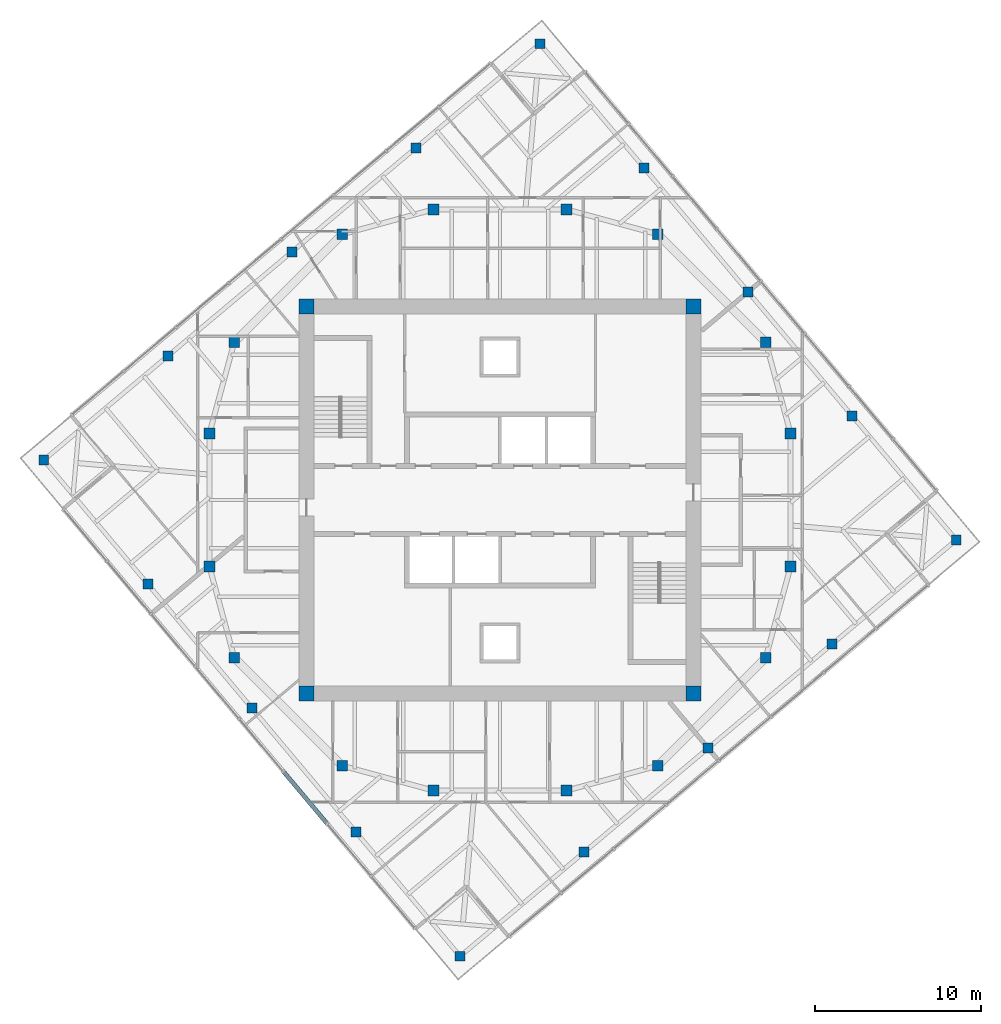
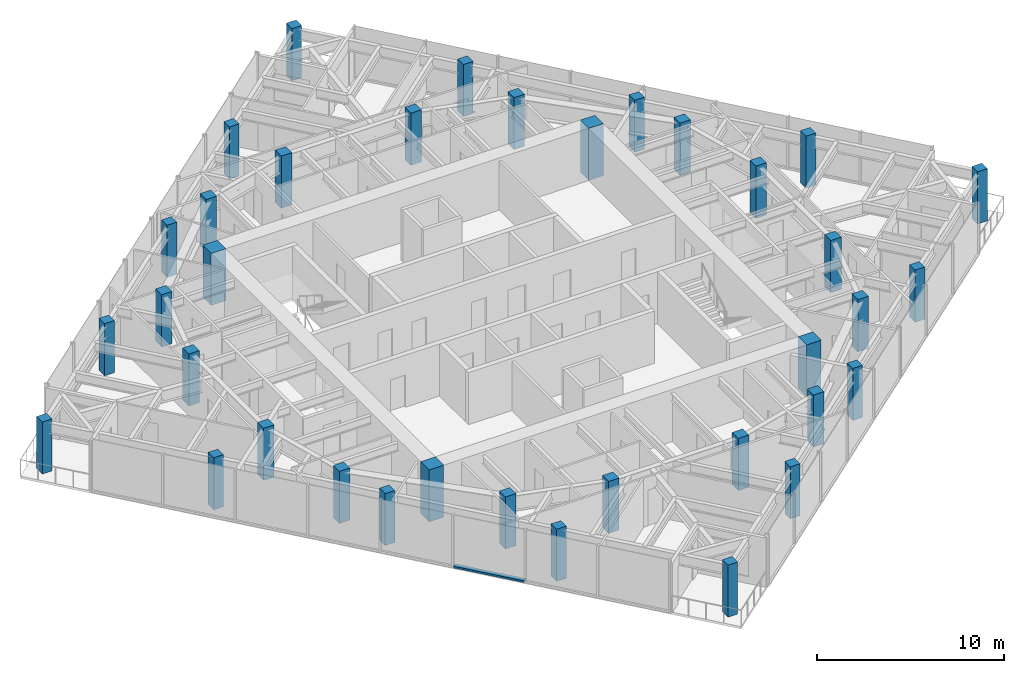
# One storey, part 1 of 12: 36 columns, 1 member, 1 element without a shape of its own.
"""IFC4 building model written with IfcOpenShell, lengths in metres."""

import ifcopenshell
import ifcopenshell.guid

model = None  # the IFC model being written
_history = None  # IfcOwnerHistory: only IFC2X3 demands one
_inside = {}  # id of a spatial element -> (the spatial element, [elements in it])
_under = {}  # id of a project, library or spatial element -> (it, [spatial elements below it])
_declared = {}  # id of a project -> (the project, [libraries it declares])
_typed = {}  # id of a type object -> (the type object, [elements of that type])
_made_of = {}  # id of a material, layer set ... -> (it, [elements and type objects made of it])


def new_model(schema):
    """Start an empty IFC model of exactly this schema.

    Asked for "IFC4X3", IfcOpenShell would pick the latest addendum, in which some entities
    have other attributes; the version numbers below select the first issue.
    IFC2X3 requires an IfcOwnerHistory on every rooted entity: one is made here for all.
    """
    global model, _history
    if schema == "IFC4X3":
        model = ifcopenshell.file(schema_version=(4, 3, 0, 0))
    else:
        model = ifcopenshell.file(schema=schema)
    _inside.clear()
    _under.clear()
    _declared.clear()
    _typed.clear()
    _made_of.clear()
    _history = None
    if model.schema == "IFC2X3":
        org = make("IfcOrganization", Name="unknown")
        user = make(
            "IfcPersonAndOrganization",
            ThePerson=make("IfcPerson", FamilyName="unknown"),
            TheOrganization=org,
        )
        app = make(
            "IfcApplication",
            ApplicationDeveloper=org,
            Version="unknown",
            ApplicationFullName="unknown",
            ApplicationIdentifier="unknown",
        )
        _history = make(
            "IfcOwnerHistory",
            OwningUser=user,
            OwningApplication=app,
            ChangeAction="ADDED",
            CreationDate=0,
        )
    return model


def make(cls, **values):
    """One entity of the class cls with the attributes given. An attribute that is None is left unset."""
    return model.create_entity(
        cls, **{name: value for name, value in values.items() if value is not None}
    )


def rooted(cls, **values):
    """An entity with a GlobalId (a new one), such as an element, a storey or a relation."""
    return make(cls, GlobalId=ifcopenshell.guid.new(), OwnerHistory=_history, **values)


def si_unit(unit_type, name, prefix=None):
    """IfcSIUnit, for example si_unit("LENGTHUNIT", "METRE", prefix="MILLI")."""
    return make("IfcSIUnit", UnitType=unit_type, Prefix=prefix, Name=name)


def assignment(units):
    """IfcUnitAssignment: the units of a project."""
    return None if units is None else make("IfcUnitAssignment", Units=units)


def point(xyz):
    """IfcCartesianPoint."""
    return None if xyz is None else make("IfcCartesianPoint", Coordinates=xyz)


def direction(xyz):
    """IfcDirection."""
    return None if xyz is None else make("IfcDirection", DirectionRatios=xyz)


def frame(location, z_axis=None, x_axis=None):
    """IfcAxis2Placement3D, a coordinate frame: its origin and axes. An axis left out is left unset."""
    return make(
        "IfcAxis2Placement3D",
        Location=point(location),
        Axis=direction(z_axis),
        RefDirection=direction(x_axis),
    )


def frame_2d(location, x_axis=None):
    """IfcAxis2Placement2D, a coordinate frame in the plane: its origin and x axis."""
    return make(
        "IfcAxis2Placement2D", Location=point(location), RefDirection=direction(x_axis)
    )


def origin():
    """The frame at (0, 0, 0) with its axes left unset."""
    return frame((0.0, 0.0, 0.0))


def origin_2d():
    """The frame at (0, 0) in the plane with its x axis left unset."""
    return frame_2d((0.0, 0.0))


def place(relative_to, where):
    """IfcLocalPlacement: puts the frame where relative to a parent placement (None: the world)."""
    return make(
        "IfcLocalPlacement", PlacementRelTo=relative_to, RelativePlacement=where
    )


def context(
    kind, dimensions, precision=None, world=None, true_north=None, identifier=None
):
    """IfcGeometricRepresentationContext, for example the 3D "Model" context."""
    return make(
        "IfcGeometricRepresentationContext",
        ContextIdentifier=identifier,
        ContextType=kind,
        CoordinateSpaceDimension=dimensions,
        Precision=precision,
        WorldCoordinateSystem=world,
        TrueNorth=true_north,
    )


def subcontext(parent, identifier, kind, view, scale=None):
    """IfcGeometricRepresentationSubContext, for example "Body" below "Model"."""
    return make(
        "IfcGeometricRepresentationSubContext",
        ContextIdentifier=identifier,
        ContextType=kind,
        ParentContext=parent,
        TargetScale=scale,
        TargetView=view,
    )


def project(units=None, contexts=None):
    """IfcProject with its units and contexts."""
    return rooted(
        "IfcProject",
        Name="project",
        RepresentationContexts=contexts,
        UnitsInContext=assignment(units),
    )


def spatial(cls, under=None, at=None, **own):
    """A site, building, storey or space (cls), placed at a placement, below another one or the project."""
    s = rooted(cls, ObjectPlacement=at, **own)
    if under is not None:
        _under.setdefault(under.id(), (under, []))[1].append(s)
    return s


def profile(cls, at=None, kind="AREA", **sizes):
    """A parametric profile (cls). Its sizes go by their IFC names, for example OverallWidth=200.0."""
    return make(cls, ProfileType=kind, Position=at, **sizes)


def rectangle(**sizes):
    """IfcRectangleProfileDef."""
    return profile("IfcRectangleProfileDef", **sizes)


def extrude(swept, where, along, depth):
    """IfcExtrudedAreaSolid: the profile swept, set in the frame where, extruded along a direction by depth."""
    return make(
        "IfcExtrudedAreaSolid",
        SweptArea=swept,
        Position=where,
        ExtrudedDirection=direction(along),
        Depth=depth,
    )


def shape(context_of_items, identifier, shape_type, items):
    """IfcShapeRepresentation: the items that make up one representation, for example the "Body"."""
    return make(
        "IfcShapeRepresentation",
        ContextOfItems=context_of_items,
        RepresentationIdentifier=identifier,
        RepresentationType=shape_type,
        Items=items,
    )


def material(Name=None, Category=None):
    """IfcMaterial."""
    return make("IfcMaterial", Name=Name, Category=Category)


def material_profile(
    of_material, cross_section, Name=None, Category=None, Priority=None
):
    """IfcMaterialProfile: a cross section and its material."""
    return make(
        "IfcMaterialProfile",
        Name=Name,
        Material=of_material,
        Profile=cross_section,
        Priority=Priority,
        Category=Category,
    )


def profile_set(profiles, Name=None, composite=None):
    """IfcMaterialProfileSet."""
    return make(
        "IfcMaterialProfileSet",
        Name=Name,
        MaterialProfiles=profiles,
        CompositeProfile=composite,
    )


def made_of(thing, what):
    """Note that an element or type object is made of a material, layer set ...; save() writes the relation."""
    if what is not None:
        _made_of.setdefault(what.id(), (what, []))[1].append(thing)
    return thing


def type_object(cls, material=None, **own):
    """A type object (cls), such as IfcWallType, which elements share."""
    return made_of(rooted(cls, **own), material)


def element(
    cls,
    number,
    at=None,
    inside=None,
    cuts=None,
    type_object=None,
    material=None,
    context=None,
    identifier="Body",
    shape_type=None,
    held_by="IfcProductDefinitionShape",
    body=None,
    shapes=None,
    **own,
):
    """One element of the class cls, such as IfcWall. Its Tag is "e" and its number.

    at: its placement. inside: the storey or other place that contains it. cuts: it is an
    opening in that element (IfcRelVoidsElement). A single representation is given by context,
    identifier, shape_type and body (its items); several are given by shapes. held_by: the class
    of the entity that holds the representations. save() writes the other relations.
    """
    e = rooted(cls, Tag="e%d" % number, ObjectPlacement=at, **own)
    if body is not None:
        shapes = [shape(context, identifier, shape_type, body)]
    if shapes is not None:
        e.Representation = make(held_by, Representations=shapes)
    if inside is not None:
        _inside.setdefault(inside.id(), (inside, []))[1].append(e)
    if cuts is not None:
        rooted(
            "IfcRelVoidsElement", RelatingBuildingElement=cuts, RelatedOpeningElement=e
        )
    if type_object is not None:
        _typed.setdefault(type_object.id(), (type_object, []))[1].append(e)
    return made_of(e, material)


def aggregate(whole, parts):
    """IfcRelAggregates: a whole, such as a stair, and the parts it consists of."""
    return rooted("IfcRelAggregates", RelatingObject=whole, RelatedObjects=parts)


def save(model, path):
    """Write the relations noted so far, then the file.

    IfcRelAggregates (storeys below a building ...), IfcRelContainedInSpatialStructure (elements
    in a storey), IfcRelDefinesByType, IfcRelAssociatesMaterial and IfcRelDeclares: one each for
    every whole, place, type object, material and project.
    """
    for whole, parts in _under.values():
        aggregate(whole, parts)
    for where, things in _inside.values():
        rooted(
            "IfcRelContainedInSpatialStructure",
            RelatedElements=things,
            RelatingStructure=where,
        )
    for kind, things in _typed.values():
        rooted("IfcRelDefinesByType", RelatedObjects=things, RelatingType=kind)
    for what, things in _made_of.values():
        rooted("IfcRelAssociatesMaterial", RelatedObjects=things, RelatingMaterial=what)
    for by, libraries in _declared.values():
        rooted("IfcRelDeclares", RelatingContext=by, RelatedDefinitions=libraries)
    model.write(path)


model = new_model("IFC4")

# Units and contexts
model_context = context("Model", 3, precision=1e-05, world=origin(), true_north=direction((0.0, 1.0)))
body_context = subcontext(model_context, "Body", "Model", "MODEL_VIEW")
ifc_project = project(units=[si_unit("LENGTHUNIT", "METRE"), si_unit("AREAUNIT", "SQUARE_METRE"), si_unit("VOLUMEUNIT", "CUBIC_METRE"), si_unit("PLANEANGLEUNIT", "RADIAN"), si_unit("MASSUNIT", "GRAM", prefix="KILO")], contexts=[model_context])

# Site, building, storey
site_placement = place(None, origin())
site = spatial("IfcSite", under=ifc_project, at=site_placement, CompositionType="ELEMENT")
building_placement = place(site_placement, origin())
building = spatial("IfcBuilding", under=site, at=building_placement, Name="Torsade Residences", CompositionType="ELEMENT")
storey_placement = place(building_placement, frame((0.0, 0.0, 296.39990234375)))
storey = spatial("IfcBuildingStorey", under=building, at=storey_placement, Name="L82", CompositionType="ELEMENT", Elevation=296.39990234375)

# Columns
ifc_material_1 = material(Name="Concrete 80 MPa", Category="concrete")
ifc_material_profile_1 = material_profile(ifc_material_1, rectangle(XDim=0.89990234375, YDim=0.89990234375, at=origin_2d()), Name="RC 900x900")
ifc_profile_set_1 = profile_set([ifc_material_profile_1], Name="Concrete 80 MPa")
column_type_1 = type_object("IfcColumnType", Name="CORE CORNER COLUMN RC 900x900", PredefinedType="COLUMN", material=ifc_profile_set_1)
for number, where, z_axis, x_axis, name in (
    (1, (28.35009765625, 18.35009765625, 0.0), (0.0, 0.0, 1.0), (1.0, 0.0, 0.0), "Core corner column CC1 L82"),
    (2, (51.64990234375, 18.35009765625, 0.0), (0.0, 0.0, 1.0), (1.0, 0.0, 0.0), "Core corner column CC2 L82"),
    (3, (51.64990234375, 41.64990234375, 0.0), (0.0, 0.0, 1.0), (1.0, 0.0, 0.0), "Core corner column CC3 L82"),
    (4, (28.35009765625, 41.64990234375, 0.0), (0.0, 0.0, 1.0), (1.0, 0.0, 0.0), "Core corner column CC4 L82"),
):
    element("IfcColumn", number, at=place(storey_placement, frame(where, z_axis=z_axis, x_axis=x_axis)), inside=storey, type_object=column_type_1, Name=name, PredefinedType="COLUMN", context=body_context, shape_type="SweptSolid", body=[
        extrude(rectangle(XDim=0.89990234375, YDim=0.89990234375, at=origin_2d()), origin(), (0.0, 0.0, 1.0), 3.400146484375),
    ])
ifc_material_2 = material(Name="Concrete 80 MPa", Category="concrete")
ifc_material_profile_2 = material_profile(ifc_material_2, rectangle(XDim=0.64990234375, YDim=0.64990234375, at=origin_2d()), Name="RC 650x650")
ifc_profile_set_2 = profile_set([ifc_material_profile_2], Name="Concrete 80 MPa")
column_type_2 = type_object("IfcColumnType", Name="INNER RING COLUMN RC 650x650", PredefinedType="COLUMN", material=ifc_profile_set_2)
for number, where, z_axis, x_axis, name in (
    (5, (57.5, 26.0, 0.0), (0.0, 0.0, 1.0), (1.0, 0.0, 0.0), "Inner ring column IR01 L82"),
    (6, (57.5, 34.0, 0.0), (0.0, 0.0, 1.0), (1.0, 0.0, 0.0), "Inner ring column IR02 L82"),
    (7, (56.0, 39.5, 0.0), (0.0, 0.0, 1.0), (1.0, 0.0, 0.0), "Inner ring column IR03 L82"),
    (8, (49.5, 46.0, 0.0), (0.0, 0.0, 1.0), (1.0, 0.0, 0.0), "Inner ring column IR04 L82"),
    (9, (44.0, 47.5, 0.0), (0.0, 0.0, 1.0), (1.0, 0.0, 0.0), "Inner ring column IR05 L82"),
    (10, (36.0, 47.5, 0.0), (0.0, 0.0, 1.0), (1.0, 0.0, 0.0), "Inner ring column IR06 L82"),
    (11, (30.5, 46.0, 0.0), (0.0, 0.0, 1.0), (1.0, 0.0, 0.0), "Inner ring column IR07 L82"),
    (12, (24.0, 39.5, 0.0), (0.0, 0.0, 1.0), (1.0, 0.0, 0.0), "Inner ring column IR08 L82"),
    (13, (22.5, 34.0, 0.0), (0.0, 0.0, 1.0), (1.0, 0.0, 0.0), "Inner ring column IR09 L82"),
    (14, (22.5, 26.0, 0.0), (0.0, 0.0, 1.0), (1.0, 0.0, 0.0), "Inner ring column IR10 L82"),
    (15, (24.0, 20.5, 0.0), (0.0, 0.0, 1.0), (1.0, 0.0, 0.0), "Inner ring column IR11 L82"),
    (16, (30.5, 14.0, 0.0), (0.0, 0.0, 1.0), (1.0, 0.0, 0.0), "Inner ring column IR12 L82"),
    (17, (36.0, 12.5, 0.0), (0.0, 0.0, 1.0), (1.0, 0.0, 0.0), "Inner ring column IR13 L82"),
    (18, (44.0, 12.5, 0.0), (0.0, 0.0, 1.0), (1.0, 0.0, 0.0), "Inner ring column IR14 L82"),
    (19, (49.5, 14.0, 0.0), (0.0, 0.0, 1.0), (1.0, 0.0, 0.0), "Inner ring column IR15 L82"),
    (20, (56.0, 20.5, 0.0), (0.0, 0.0, 1.0), (1.0, 0.0, 0.0), "Inner ring column IR16 L82"),
):
    element("IfcColumn", number, at=place(storey_placement, frame(where, z_axis=z_axis, x_axis=x_axis)), inside=storey, type_object=column_type_2, Name=name, PredefinedType="COLUMN", context=body_context, shape_type="SweptSolid", body=[
        extrude(rectangle(XDim=0.64990234375, YDim=0.64990234375, at=origin_2d()), origin(), (0.0, 0.0, 1.0), 3.400146484375),
    ])
ifc_material_3 = material(Name="Concrete 80 MPa", Category="concrete")
ifc_material_profile_3 = material_profile(ifc_material_3, rectangle(XDim=0.60009765625, YDim=0.60009765625, at=origin_2d()), Name="RC 600x600")
ifc_profile_set_3 = profile_set([ifc_material_profile_3], Name="Concrete 80 MPa")
column_type_3 = type_object("IfcColumnType", Name="TOWER COLUMN RC 600x600", PredefinedType="COLUMN", material=ifc_profile_set_3)
for number, where, z_axis, x_axis, name in (
    (21, (37.596435546875, 2.52783203125, 0.0), (0.0, 0.0, 1.0), (1.0, 0.0, 0.0), "Column TC9-01 L82"),
    (22, (45.0654296875, 8.794921875, 0.0), (0.0, 0.0, 1.0), (1.0, 0.0, 0.0), "Column TC9-02 L82"),
    (23, (52.534423828125, 15.06201171875, 0.0), (0.0, 0.0, 1.0), (1.0, 0.0, 0.0), "Column TC9-03 L82"),
    (24, (60.003173828125, 21.329345703125, 0.0), (0.0, 0.0, 1.0), (1.0, 0.0, 0.0), "Column TC9-04 L82"),
    (25, (67.47216796875, 27.596435546875, 0.0), (0.0, 0.0, 1.0), (1.0, 0.0, 0.0), "Column TC9-05 L82"),
    (26, (61.205078125, 35.0654296875, 0.0), (0.0, 0.0, 1.0), (1.0, 0.0, 0.0), "Column TC9-06 L82"),
    (27, (54.93798828125, 42.534423828125, 0.0), (0.0, 0.0, 1.0), (1.0, 0.0, 0.0), "Column TC9-07 L82"),
    (28, (48.670654296875, 50.003173828125, 0.0), (0.0, 0.0, 1.0), (1.0, 0.0, 0.0), "Column TC9-08 L82"),
    (29, (42.403564453125, 57.47216796875, 0.0), (0.0, 0.0, 1.0), (1.0, 0.0, 0.0), "Column TC9-09 L82"),
    (30, (34.9345703125, 51.205078125, 0.0), (0.0, 0.0, 1.0), (1.0, 0.0, 0.0), "Column TC9-10 L82"),
    (31, (27.465576171875, 44.93798828125, 0.0), (0.0, 0.0, 1.0), (1.0, 0.0, 0.0), "Column TC9-11 L82"),
    (32, (19.996826171875, 38.670654296875, 0.0), (0.0, 0.0, 1.0), (1.0, 0.0, 0.0), "Column TC9-12 L82"),
    (33, (12.52783203125, 32.403564453125, 0.0), (0.0, 0.0, 1.0), (1.0, 0.0, 0.0), "Column TC9-13 L82"),
    (34, (18.794921875, 24.9345703125, 0.0), (0.0, 0.0, 1.0), (1.0, 0.0, 0.0), "Column TC9-14 L82"),
    (35, (25.06201171875, 17.465576171875, 0.0), (0.0, 0.0, 1.0), (1.0, 0.0, 0.0), "Column TC9-15 L82"),
    (36, (31.329345703125, 9.996826171875, 0.0), (0.0, 0.0, 1.0), (1.0, 0.0, 0.0), "Column TC9-16 L82"),
):
    element("IfcColumn", number, at=place(storey_placement, frame(where, z_axis=z_axis, x_axis=x_axis)), inside=storey, type_object=column_type_3, Name=name, PredefinedType="COLUMN", context=body_context, shape_type="SweptSolid", body=[
        extrude(rectangle(XDim=0.60009765625, YDim=0.60009765625, at=origin_2d()), origin(), (0.0, 0.0, 1.0), 3.400146484375),
    ])

# Curtain wall, member
ifc_material_4 = material(Name="Aluminium and glass", Category="aluminium")
curtain_wall_type = type_object("IfcCurtainWallType", Name="FRITTED GLASS CURTAIN WALL HIGH ZONE", PredefinedType="NOTDEFINED", material=ifc_material_4)
curtain_wall_placement = place(storey_placement, origin())
curtain_wall = element("IfcCurtainWall", 37, at=curtain_wall_placement, inside=storey, type_object=curtain_wall_type, Name="Curtain wall L82 face 10", PredefinedType="NOTDEFINED")
ifc_material_5 = material(Name="Aluminium transom", Category="aluminium")
ifc_material_profile_4 = material_profile(ifc_material_5, rectangle(XDim=0.25, YDim=0.1201171875, at=origin_2d()), Name="HIGH ZONE CURTAIN WALL TRANSOM 250x120")
ifc_profile_set_4 = profile_set([ifc_material_profile_4], Name="Aluminium transom")
member_type = type_object("IfcMemberType", Name="HIGH ZONE CURTAIN WALL TRANSOM 250x120", PredefinedType="USERDEFINED", material=ifc_profile_set_4)
member_placement = place(storey_placement, frame((26.979736328125, 13.62451171875, 0.06005859375), z_axis=(0.642787992616, -0.766044121803, 0.0), x_axis=(0.766044121803, 0.642787992616, 0.0)))
member = element("IfcMember", 38, at=member_placement, type_object=member_type, Name="Transom 6.1", ObjectType="TRANSOM", PredefinedType="USERDEFINED", context=body_context, shape_type="SweptSolid", body=[
    extrude(rectangle(XDim=0.25, YDim=0.1201171875, at=origin_2d()), origin(), (0.0, 0.0, 1.0), 4.02490234375),
])
aggregate(curtain_wall, [member])

save(model, "model.ifc")
